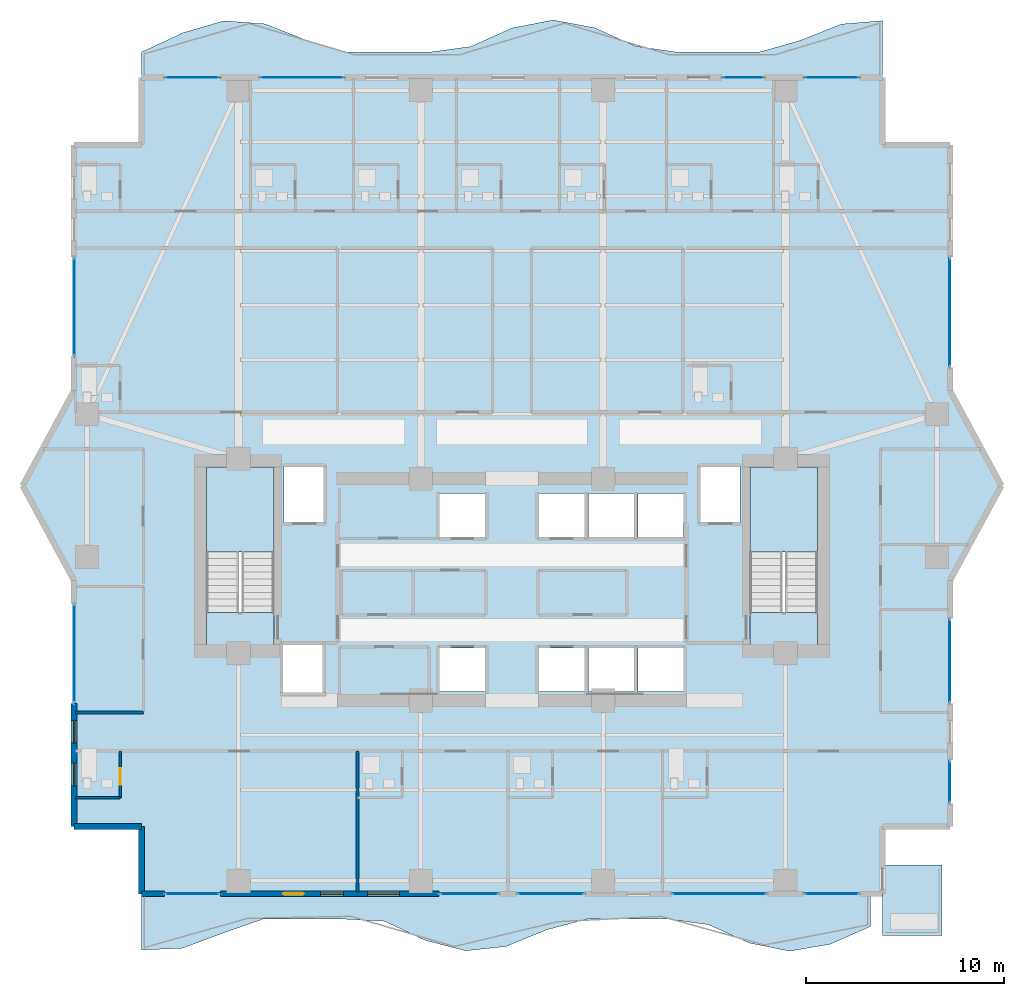
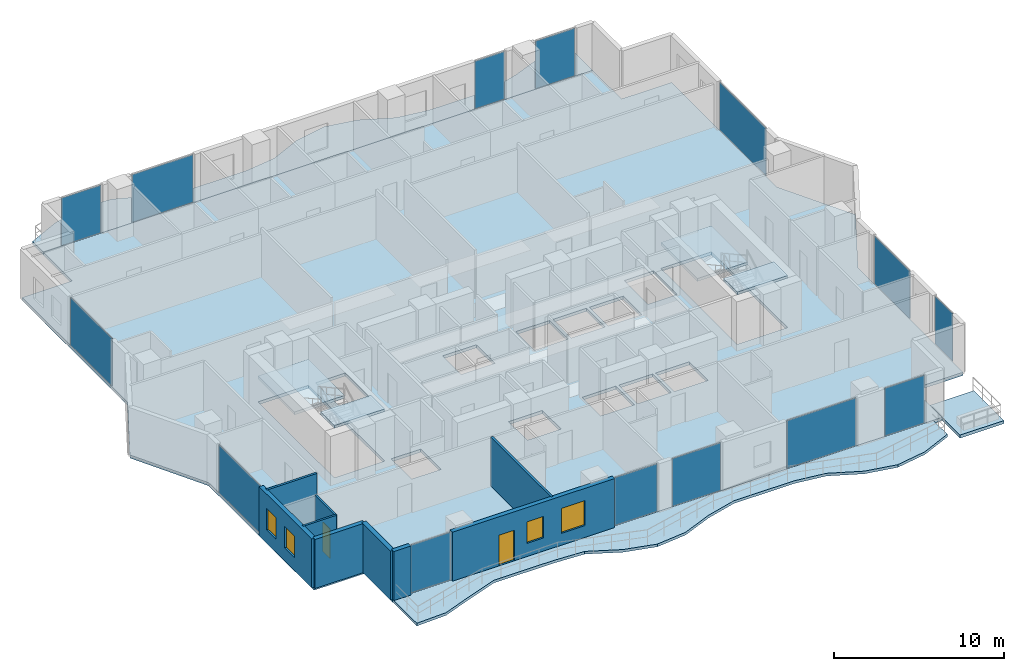
# One storey, part 23 of 32: 14 plates, 9 walls, 8 slabs, 4 windows, 2 doors, 6 openings, 16 elements without a shape of their own.
"""IFC4 building model written with IfcOpenShell, lengths in metres."""

from ifc_helpers import new_model, si_unit, direction, frame, frame_2d, origin, origin_2d, place, context, subcontext, project, spatial, polyline, rectangle, outline, extrude, material, layer, layer_set, type_object, element, fill, aggregate, save


model = new_model("IFC4")

# Units and contexts
model_context = context("Model", 3, precision=1e-05, world=origin(), true_north=direction((0.0, 1.0)))
body_context = subcontext(model_context, "Body", "Model", "MODEL_VIEW")
ifc_project = project(units=[si_unit("LENGTHUNIT", "METRE"), si_unit("AREAUNIT", "SQUARE_METRE"), si_unit("VOLUMEUNIT", "CUBIC_METRE"), si_unit("PLANEANGLEUNIT", "RADIAN"), si_unit("MASSUNIT", "GRAM", prefix="KILO")], contexts=[model_context])

# Site, building, storey
site_placement = place(None, origin())
site = spatial("IfcSite", under=ifc_project, at=site_placement, CompositionType="ELEMENT")
building_placement = place(site_placement, origin())
building = spatial("IfcBuilding", under=site, at=building_placement, Name="Zuhayl Quay Hotel", CompositionType="ELEMENT")
storey_placement = place(building_placement, frame((0.0, 0.0, 203.64990234375)))
storey = spatial("IfcBuildingStorey", under=building, at=storey_placement, Name="L51", CompositionType="ELEMENT", Elevation=203.64990234375)

# Curtain wall, plate
ifc_material_1 = material(Name="Anodised Aluminium 6063-T6", Category="aluminium")
ifc_layer_1 = layer(ifc_material_1, 0.175048828125, Name="Anodised Aluminium 6063-T6", Category="aluminium")
ifc_layer_set_1 = layer_set([ifc_layer_1], Name="Anodised Aluminium 6063-T6")
curtain_wall_type = type_object("IfcCurtainWallType", Name="CW_SYS_Z3", PredefinedType="USERDEFINED", material=ifc_layer_set_1)
curtain_wall_1_placement = place(storey_placement, origin())
curtain_wall_1 = element("IfcCurtainWall", 1, at=curtain_wall_1_placement, inside=storey, type_object=curtain_wall_type, Name="L51 Curtain Wall ENV_L51_E02_CW1", ObjectType="UNITISED CURTAIN WALL", PredefinedType="USERDEFINED")
ifc_material_2 = material(Name="Dark Ceramic-Fritted Solar Glass", Category="glass")
ifc_layer_2 = layer(ifc_material_2, 0.0400390625, Name="Dark Ceramic-Fritted Solar Glass", Category="glass")
ifc_layer_set_2 = layer_set([ifc_layer_2], Name="Dark Ceramic-Fritted Solar Glass")
plate_type = type_object("IfcPlateType", Name="PN_OP_VENT_Z3", PredefinedType="CURTAIN_PANEL", material=ifc_layer_set_2)
plate_1_placement = place(storey_placement, frame((-22.10009765625, 4.52490234375, 0.05517578125), z_axis=(0.0, 0.0, 1.0), x_axis=(0.0, 1.0, 0.0)))
plate_1 = element("IfcPlate", 2, at=plate_1_placement, type_object=plate_type, Name="CW-Z3 panel 1.1", PredefinedType="CURTAIN_PANEL", context=body_context, shape_type="SweptSolid", body=[
    extrude(rectangle(XDim=4.919921875, YDim=0.0400390625, at=origin_2d()), origin(), (0.0, 0.0, 1.0), 3.419921875),
])
aggregate(curtain_wall_1, [plate_1])

curtain_wall_2_placement = place(storey_placement, origin())
curtain_wall_2 = element("IfcCurtainWall", 3, at=curtain_wall_2_placement, inside=storey, type_object=curtain_wall_type, Name="L51 Curtain Wall ENV_L51_E05_CW1", ObjectType="UNITISED CURTAIN WALL", PredefinedType="USERDEFINED")
plate_2_placement = place(storey_placement, frame((-22.10009765625, 22.030029296875, 0.05517578125), z_axis=(0.0, 0.0, 1.0), x_axis=(0.0, 1.0, 0.0)))
plate_2 = element("IfcPlate", 4, at=plate_2_placement, type_object=plate_type, Name="CW-Z3 panel 1.1", PredefinedType="CURTAIN_PANEL", context=body_context, shape_type="SweptSolid", body=[
    extrude(rectangle(XDim=4.909912109375, YDim=0.0400390625, at=origin_2d()), origin(), (0.0, 0.0, 1.0), 3.419921875),
])
aggregate(curtain_wall_2, [plate_2])

curtain_wall_3_placement = place(storey_placement, origin())
curtain_wall_3 = element("IfcCurtainWall", 5, at=curtain_wall_3_placement, inside=storey, type_object=curtain_wall_type, Name="L51 Curtain Wall ENV_L51_N_CW1", ObjectType="UNITISED CURTAIN WALL", PredefinedType="USERDEFINED")
plate_3_placement = place(storey_placement, frame((-16.135009765625, 33.60009765625, 0.05517578125), z_axis=(0.0, 0.0, 1.0), x_axis=(1.0, 0.0, 0.0)))
plate_3 = element("IfcPlate", 6, at=plate_3_placement, type_object=plate_type, Name="CW-Z3 panel 1.1", PredefinedType="CURTAIN_PANEL", context=body_context, shape_type="SweptSolid", body=[
    extrude(rectangle(XDim=2.699951171875, YDim=0.0400390625, at=origin_2d()), origin(), (0.0, 0.0, 1.0), 3.419921875),
])
aggregate(curtain_wall_3, [plate_3])

curtain_wall_4_placement = place(storey_placement, origin())
curtain_wall_4 = element("IfcCurtainWall", 7, at=curtain_wall_4_placement, inside=storey, type_object=curtain_wall_type, Name="L51 Curtain Wall ENV_L51_N_CW2", ObjectType="UNITISED CURTAIN WALL", PredefinedType="USERDEFINED")
plate_4_placement = place(storey_placement, frame((-10.60009765625, 33.60009765625, 0.05517578125), z_axis=(0.0, 0.0, 1.0), x_axis=(1.0, 0.0, 0.0)))
plate_4 = element("IfcPlate", 8, at=plate_4_placement, type_object=plate_type, Name="CW-Z3 panel 1.1", PredefinedType="CURTAIN_PANEL", context=body_context, shape_type="SweptSolid", body=[
    extrude(rectangle(XDim=4.169921875, YDim=0.0400390625, at=origin_2d()), origin(), (0.0, 0.0, 1.0), 3.419921875),
])
aggregate(curtain_wall_4, [plate_4])

curtain_wall_5_placement = place(storey_placement, origin())
curtain_wall_5 = element("IfcCurtainWall", 9, at=curtain_wall_5_placement, inside=storey, type_object=curtain_wall_type, Name="L51 Curtain Wall ENV_L51_N_CW3", ObjectType="UNITISED CURTAIN WALL", PredefinedType="USERDEFINED")
plate_5_placement = place(storey_placement, frame((11.672607421875, 33.60009765625, 0.05517578125), z_axis=(0.0, 0.0, 1.0), x_axis=(1.0, 0.0, 0.0)))
plate_5 = element("IfcPlate", 10, at=plate_5_placement, type_object=plate_type, Name="CW-Z3 panel 1.1", PredefinedType="CURTAIN_PANEL", context=body_context, shape_type="SweptSolid", body=[
    extrude(rectangle(XDim=2.02490234375, YDim=0.0400390625, at=origin_2d()), origin(), (0.0, 0.0, 1.0), 3.419921875),
])
aggregate(curtain_wall_5, [plate_5])

curtain_wall_6_placement = place(storey_placement, origin())
curtain_wall_6 = element("IfcCurtainWall", 11, at=curtain_wall_6_placement, inside=storey, type_object=curtain_wall_type, Name="L51 Curtain Wall ENV_L51_N_CW4", ObjectType="UNITISED CURTAIN WALL", PredefinedType="USERDEFINED")
plate_6_placement = place(storey_placement, frame((16.135009765625, 33.60009765625, 0.05517578125), z_axis=(0.0, 0.0, 1.0), x_axis=(1.0, 0.0, 0.0)))
plate_6 = element("IfcPlate", 12, at=plate_6_placement, type_object=plate_type, Name="CW-Z3 panel 1.1", PredefinedType="CURTAIN_PANEL", context=body_context, shape_type="SweptSolid", body=[
    extrude(rectangle(XDim=2.699951171875, YDim=0.0400390625, at=origin_2d()), origin(), (0.0, 0.0, 1.0), 3.419921875),
])
aggregate(curtain_wall_6, [plate_6])

curtain_wall_7_placement = place(storey_placement, origin())
curtain_wall_7 = element("IfcCurtainWall", 13, at=curtain_wall_7_placement, inside=storey, type_object=curtain_wall_type, Name="L51 Curtain Wall ENV_L51_E11_CW1", ObjectType="UNITISED CURTAIN WALL", PredefinedType="USERDEFINED")
plate_7_placement = place(storey_placement, frame((22.10009765625, 21.75, 0.05517578125), z_axis=(0.0, 0.0, 1.0), x_axis=(0.0, -1.0, 0.0)))
plate_7 = element("IfcPlate", 14, at=plate_7_placement, type_object=plate_type, Name="CW-Z3 panel 1.1", PredefinedType="CURTAIN_PANEL", context=body_context, shape_type="SweptSolid", body=[
    extrude(rectangle(XDim=5.469970703125, YDim=0.0400390625, at=origin_2d()), origin(), (0.0, 0.0, 1.0), 3.419921875),
])
aggregate(curtain_wall_7, [plate_7])

curtain_wall_8_placement = place(storey_placement, origin())
curtain_wall_8 = element("IfcCurtainWall", 15, at=curtain_wall_8_placement, inside=storey, type_object=curtain_wall_type, Name="L51 Curtain Wall ENV_L51_E14_CW1", ObjectType="UNITISED CURTAIN WALL", PredefinedType="USERDEFINED")
plate_8_placement = place(storey_placement, frame((22.10009765625, 4.14990234375, 0.05517578125), z_axis=(0.0, 0.0, 1.0), x_axis=(0.0, -1.0, 0.0)))
plate_8 = element("IfcPlate", 16, at=plate_8_placement, type_object=plate_type, Name="CW-Z3 panel 1.1", PredefinedType="CURTAIN_PANEL", context=body_context, shape_type="SweptSolid", body=[
    extrude(rectangle(XDim=4.169921875, YDim=0.0400390625, at=origin_2d()), origin(), (0.0, 0.0, 1.0), 3.419921875),
])
aggregate(curtain_wall_8, [plate_8])

curtain_wall_9_placement = place(storey_placement, origin())
curtain_wall_9 = element("IfcCurtainWall", 17, at=curtain_wall_9_placement, inside=storey, type_object=curtain_wall_type, Name="L51 Curtain Wall ENV_L51_E14_CW2", ObjectType="UNITISED CURTAIN WALL", PredefinedType="USERDEFINED")
plate_9_placement = place(storey_placement, frame((22.10009765625, -1.949951171875, 0.05517578125), z_axis=(0.0, 0.0, 1.0), x_axis=(0.0, -1.0, 0.0)))
plate_9 = element("IfcPlate", 18, at=plate_9_placement, type_object=plate_type, Name="CW-Z3 panel 1.1", PredefinedType="CURTAIN_PANEL", context=body_context, shape_type="SweptSolid", body=[
    extrude(rectangle(XDim=2.070068359375, YDim=0.0400390625, at=origin_2d()), origin(), (0.0, 0.0, 1.0), 3.419921875),
])
aggregate(curtain_wall_9, [plate_9])

curtain_wall_10_placement = place(storey_placement, origin())
curtain_wall_10 = element("IfcCurtainWall", 19, at=curtain_wall_10_placement, inside=storey, type_object=curtain_wall_type, Name="L51 Curtain Wall ENV_L51_S_CW1", ObjectType="UNITISED CURTAIN WALL", PredefinedType="USERDEFINED")
plate_10_placement = place(storey_placement, frame((16.135009765625, -7.60009765625, 0.05517578125), z_axis=(0.0, 0.0, 1.0), x_axis=(-1.0, 0.0, 0.0)))
plate_10 = element("IfcPlate", 20, at=plate_10_placement, type_object=plate_type, Name="CW-Z3 panel 1.1", PredefinedType="CURTAIN_PANEL", context=body_context, shape_type="SweptSolid", body=[
    extrude(rectangle(XDim=2.699951171875, YDim=0.0400390625, at=origin_2d()), origin(), (0.0, 0.0, 1.0), 3.419921875),
])
aggregate(curtain_wall_10, [plate_10])

curtain_wall_11_placement = place(storey_placement, origin())
curtain_wall_11 = element("IfcCurtainWall", 21, at=curtain_wall_11_placement, inside=storey, type_object=curtain_wall_type, Name="L51 Curtain Wall ENV_L51_S_CW2", ObjectType="UNITISED CURTAIN WALL", PredefinedType="USERDEFINED")
plate_11_placement = place(storey_placement, frame((10.465087890625, -7.60009765625, 0.05517578125), z_axis=(0.0, 0.0, 1.0), x_axis=(-1.0, 0.0, 0.0)))
plate_11 = element("IfcPlate", 22, at=plate_11_placement, type_object=plate_type, Name="CW-Z3 panel 1.1", PredefinedType="CURTAIN_PANEL", context=body_context, shape_type="SweptSolid", body=[
    extrude(rectangle(XDim=4.699951171875, YDim=0.0400390625, at=origin_2d()), origin(), (0.0, 0.0, 1.0), 3.419921875),
])
aggregate(curtain_wall_11, [plate_11])

curtain_wall_12_placement = place(storey_placement, origin())
curtain_wall_12 = element("IfcCurtainWall", 23, at=curtain_wall_12_placement, inside=storey, type_object=curtain_wall_type, Name="L51 Curtain Wall ENV_L51_S_CW3", ObjectType="UNITISED CURTAIN WALL", PredefinedType="USERDEFINED")
plate_12_placement = place(storey_placement, frame((1.965087890625, -7.60009765625, 0.05517578125), z_axis=(0.0, 0.0, 1.0), x_axis=(-1.0, 0.0, 0.0)))
plate_12 = element("IfcPlate", 24, at=plate_12_placement, type_object=plate_type, Name="CW-Z3 panel 1.1", PredefinedType="CURTAIN_PANEL", context=body_context, shape_type="SweptSolid", body=[
    extrude(rectangle(XDim=3.300048828125, YDim=0.0400390625, at=origin_2d()), origin(), (0.0, 0.0, 1.0), 3.419921875),
])
aggregate(curtain_wall_12, [plate_12])

curtain_wall_13_placement = place(storey_placement, origin())
curtain_wall_13 = element("IfcCurtainWall", 25, at=curtain_wall_13_placement, inside=storey, type_object=curtain_wall_type, Name="L51 Curtain Wall ENV_L51_S_CW4", ObjectType="UNITISED CURTAIN WALL", PredefinedType="USERDEFINED")
plate_13_placement = place(storey_placement, frame((-2.1650390625, -7.60009765625, 0.05517578125), z_axis=(0.0, 0.0, 1.0), x_axis=(-1.0, 0.0, 0.0)))
plate_13 = element("IfcPlate", 26, at=plate_13_placement, type_object=plate_type, Name="CW-Z3 panel 1.1", PredefinedType="CURTAIN_PANEL", context=body_context, shape_type="SweptSolid", body=[
    extrude(rectangle(XDim=2.89990234375, YDim=0.0400390625, at=origin_2d()), origin(), (0.0, 0.0, 1.0), 3.419921875),
])
aggregate(curtain_wall_13, [plate_13])

curtain_wall_14_placement = place(storey_placement, origin())
curtain_wall_14 = element("IfcCurtainWall", 27, at=curtain_wall_14_placement, inside=storey, type_object=curtain_wall_type, Name="L51 Curtain Wall ENV_L51_S_CW5", ObjectType="UNITISED CURTAIN WALL", PredefinedType="USERDEFINED")
plate_14_placement = place(storey_placement, frame((-16.135009765625, -7.60009765625, 0.05517578125), z_axis=(0.0, 0.0, 1.0), x_axis=(-1.0, 0.0, 0.0)))
plate_14 = element("IfcPlate", 28, at=plate_14_placement, type_object=plate_type, Name="CW-Z3 panel 1.1", PredefinedType="CURTAIN_PANEL", context=body_context, shape_type="SweptSolid", body=[
    extrude(rectangle(XDim=2.699951171875, YDim=0.0400390625, at=origin_2d()), origin(), (0.0, 0.0, 1.0), 3.419921875),
])
aggregate(curtain_wall_14, [plate_14])

# Slabs
ifc_material_3 = material(Name="Concrete C45/55", Category="concrete")
ifc_layer_3 = layer(ifc_material_3, 0.195068359375, Name="Concrete C45/55", Category="concrete")
ifc_layer_set_3 = layer_set([ifc_layer_3], Name="Concrete C45/55")
slab_type_1 = type_object("IfcSlabType", Name="SL_BALCONY_195", PredefinedType="FLOOR", material=ifc_layer_set_3)
slab_1_placement = place(storey_placement, frame((0.0, 0.0, -0.19482421875)))
element("IfcSlab", 29, at=slab_1_placement, inside=storey, type_object=slab_type_1, Name="L51 Exterior Rippling Balcony Slab North", PredefinedType="FLOOR", context=body_context, shape_type="SweptSolid", body=[
    extrude(outline(polyline([(-18.699951171875, 33.60009765625), (18.699951171875, 33.60009765625), (18.699951171875, 36.465576171875), (16.622314453125, 36.29541015625), (14.54443359375, 35.467041015625), (12.466796875, 34.8798828125), (10.388916015625, 34.8798828125), (8.31103515625, 34.8798828125), (6.2333984375, 35.1845703125), (4.155517578125, 36.114501953125), (2.077880859375, 36.5), (0.0, 36.098388671875), (-2.077880859375, 35.162841796875), (-4.155517578125, 34.8798828125), (-6.2333984375, 34.8798828125), (-8.31103515625, 34.8798828125), (-10.388916015625, 35.488525390625), (-12.466796875, 36.30712890625), (-14.54443359375, 36.460205078125), (-16.622314453125, 35.851318359375), (-18.699951171875, 34.8798828125), (-18.699951171875, 33.60009765625)])), origin(), (0.0, 0.0, 1.0), 0.19482421875),
])
slab_2_placement = place(storey_placement, frame((0.0, 0.0, -0.19482421875)))
element("IfcSlab", 30, at=slab_2_placement, inside=storey, type_object=slab_type_1, Name="L51 Exterior Rippling Balcony Slab South", PredefinedType="FLOOR", context=body_context, shape_type="SweptSolid", body=[
    extrude(outline(polyline([(-18.699951171875, -10.438720703125), (-16.655517578125, -10.353759765625), (-14.611083984375, -9.594482421875), (-12.566650390625, -8.8798828125), (-10.522216796875, -8.8798828125), (-8.477783203125, -8.8798828125), (-6.433349609375, -8.989990234375), (-4.388916015625, -9.948974609375), (-2.344482421875, -10.48095703125), (-0.300048828125, -10.26123046875), (1.744384765625, -9.424072265625), (3.788818359375, -8.8798828125), (5.833251953125, -8.8798828125), (7.877685546875, -8.8798828125), (9.922119140625, -9.162841796875), (11.966796875, -10.08642578125), (14.010986328125, -10.499267578125), (16.0556640625, -10.149169921875), (18.10009765625, -9.25), (18.10009765625, -7.60009765625), (-18.699951171875, -7.60009765625), (-18.699951171875, -10.438720703125)])), origin(), (0.0, 0.0, 1.0), 0.19482421875),
])
ifc_layer_4 = layer(ifc_material_3, 0.219970703125, Name="Concrete C45/55", Category="concrete")
ifc_layer_set_4 = layer_set([ifc_layer_4], Name="Concrete C45/55")
slab_type_2 = type_object("IfcSlabType", Name="SL_FLOOR_220", PredefinedType="FLOOR", material=ifc_layer_set_4)
slab_3_placement = place(storey_placement, frame((0.0, 0.0, -0.219970703125)))
element("IfcSlab", 31, at=slab_3_placement, inside=storey, type_object=slab_type_2, Name="L51 Structural Floor Slab", PredefinedType="FLOOR", context=body_context, shape_type="SweptSolid", body=[
    extrude(outline(polyline([(-18.699951171875, -7.60009765625), (18.699951171875, -7.60009765625), (18.699951171875, -4.199951171875), (22.10009765625, -4.199951171875), (22.10009765625, 8.199951171875), (24.699951171875, 13.0), (22.10009765625, 17.800048828125), (22.10009765625, 30.199951171875), (18.699951171875, 30.199951171875), (18.699951171875, 33.60009765625), (-18.699951171875, 33.60009765625), (-18.699951171875, 30.199951171875), (-22.10009765625, 30.199951171875), (-22.10009765625, 17.800048828125), (-24.699951171875, 13.0), (-22.10009765625, 8.199951171875), (-22.10009765625, -4.199951171875), (-18.699951171875, -4.199951171875), (-18.699951171875, -7.60009765625)]), holes=[polyline([(-12.0, 4.949951171875), (-12.0, 13.949951171875), (-15.429931640625, 13.949951171875), (-15.429931640625, 4.949951171875), (-12.0, 4.949951171875)]), polyline([(15.429931640625, 4.949951171875), (15.429931640625, 13.949951171875), (12.0, 13.949951171875), (12.0, 4.949951171875), (15.429931640625, 4.949951171875)]), polyline([(-11.5, 11.14990234375), (-9.5, 11.14990234375), (-9.5, 13.949951171875), (-11.5, 13.949951171875), (-11.5, 11.14990234375)]), polyline([(9.5, 11.14990234375), (11.5, 11.14990234375), (11.5, 13.949951171875), (9.5, 13.949951171875), (9.5, 11.14990234375)]), polyline([(-3.64990234375, 2.60009765625), (-1.35009765625, 2.60009765625), (-1.35009765625, 4.800048828125), (-3.64990234375, 4.800048828125), (-3.64990234375, 2.60009765625)]), polyline([(1.35009765625, 2.60009765625), (3.64990234375, 2.60009765625), (3.64990234375, 4.800048828125), (1.35009765625, 4.800048828125), (1.35009765625, 2.60009765625)]), polyline([(-3.64990234375, 10.39990234375), (-1.35009765625, 10.39990234375), (-1.35009765625, 12.60009765625), (-3.64990234375, 12.60009765625), (-3.64990234375, 10.39990234375)]), polyline([(1.35009765625, 10.39990234375), (3.64990234375, 10.39990234375), (3.64990234375, 12.60009765625), (1.35009765625, 12.60009765625), (1.35009765625, 10.39990234375)]), polyline([(3.85009765625, 2.60009765625), (6.14990234375, 2.60009765625), (6.14990234375, 4.800048828125), (3.85009765625, 4.800048828125), (3.85009765625, 2.60009765625)]), polyline([(6.35009765625, 2.60009765625), (8.64990234375, 2.60009765625), (8.64990234375, 4.800048828125), (6.35009765625, 4.800048828125), (6.35009765625, 2.60009765625)]), polyline([(3.85009765625, 10.39990234375), (6.14990234375, 10.39990234375), (6.14990234375, 12.60009765625), (3.85009765625, 12.60009765625), (3.85009765625, 10.39990234375)]), polyline([(6.35009765625, 10.39990234375), (8.64990234375, 10.39990234375), (8.64990234375, 12.60009765625), (6.35009765625, 12.60009765625), (6.35009765625, 10.39990234375)]), polyline([(-11.550048828125, 2.550048828125), (-9.550048828125, 2.550048828125), (-9.550048828125, 4.949951171875), (-11.550048828125, 4.949951171875), (-11.550048828125, 2.550048828125)])]), origin(), (0.0, 0.0, 1.0), 0.219970703125),
])

# Stair, slabs
stair_type = type_object("IfcStairType", Name="ST_DOGLEG_TOWER", PredefinedType="HALF_TURN_STAIR", material=ifc_material_3)
stair_1_placement = place(storey_placement, origin())
stair_1 = element("IfcStair", 32, at=stair_1_placement, inside=storey, type_object=stair_type, Name="L51 Smokeproof Exit Stair ST1", PredefinedType="HALF_TURN_STAIR")
ifc_layer_5 = layer(ifc_material_3, 0.199951171875, Name="Concrete C45/55", Category="concrete")
ifc_layer_set_5 = layer_set([ifc_layer_5], Name="Concrete C45/55")
slab_type_3 = type_object("IfcSlabType", Name="SL_STAIR_LANDING_200", PredefinedType="LANDING", material=ifc_layer_set_5)
slab_4_placement = place(storey_placement, frame((0.0, 0.0, 1.675048828125)))
slab_4 = element("IfcSlab", 33, at=slab_4_placement, type_object=slab_type_3, Name="ST1 landing 1", PredefinedType="LANDING", context=body_context, shape_type="SweptSolid", body=[
    extrude(outline(polyline([(-12.0, 9.64990234375), (-12.0, 13.949951171875), (-15.429931640625, 13.949951171875), (-15.429931640625, 9.64990234375), (-12.0, 9.64990234375)])), origin(), (0.0, 0.0, 1.0), 0.199951171875),
])
slab_5_placement = place(storey_placement, frame((0.0, 0.0, 3.550048828125)))
slab_5 = element("IfcSlab", 34, at=slab_5_placement, type_object=slab_type_3, Name="ST1 landing 2", PredefinedType="LANDING", context=body_context, shape_type="SweptSolid", body=[
    extrude(outline(polyline([(-12.0, 4.949951171875), (-12.0, 6.590087890625), (-15.429931640625, 6.590087890625), (-15.429931640625, 4.949951171875), (-12.0, 4.949951171875)])), origin(), (0.0, 0.0, 1.0), 0.199951171875),
])
aggregate(stair_1, [slab_4, slab_5])

stair_2_placement = place(storey_placement, origin())
stair_2 = element("IfcStair", 35, at=stair_2_placement, inside=storey, type_object=stair_type, Name="L51 Smokeproof Exit Stair ST2", PredefinedType="HALF_TURN_STAIR")
slab_6_placement = place(storey_placement, frame((0.0, 0.0, 1.675048828125)))
slab_6 = element("IfcSlab", 36, at=slab_6_placement, type_object=slab_type_3, Name="ST2 landing 1", PredefinedType="LANDING", context=body_context, shape_type="SweptSolid", body=[
    extrude(outline(polyline([(15.429931640625, 9.64990234375), (15.429931640625, 13.949951171875), (12.0, 13.949951171875), (12.0, 9.64990234375), (15.429931640625, 9.64990234375)])), origin(), (0.0, 0.0, 1.0), 0.199951171875),
])
slab_7_placement = place(storey_placement, frame((0.0, 0.0, 3.550048828125)))
slab_7 = element("IfcSlab", 37, at=slab_7_placement, type_object=slab_type_3, Name="ST2 landing 2", PredefinedType="LANDING", context=body_context, shape_type="SweptSolid", body=[
    extrude(outline(polyline([(15.429931640625, 4.949951171875), (15.429931640625, 6.590087890625), (12.0, 6.590087890625), (12.0, 4.949951171875), (15.429931640625, 4.949951171875)])), origin(), (0.0, 0.0, 1.0), 0.199951171875),
])
aggregate(stair_2, [slab_6, slab_7])

# Slab
ifc_layer_6 = layer(ifc_material_3, 0.219970703125, Name="Concrete C45/55", Category="concrete")
ifc_layer_set_6 = layer_set([ifc_layer_6], Name="Concrete C45/55")
slab_type_4 = type_object("IfcSlabType", Name="SL_TERRACE_235", PredefinedType="FLOOR", material=ifc_layer_set_6)
slab_8_placement = place(storey_placement, frame((0.0, 0.0, -0.219970703125)))
element("IfcSlab", 38, at=slab_8_placement, inside=storey, type_object=slab_type_4, Name="L51 Exterior Sky-Terrace Slab L51_SPIRAL_SE", PredefinedType="FLOOR", context=body_context, shape_type="SweptSolid", body=[
    extrude(outline(polyline([(18.699951171875, -9.699951171875), (21.699951171875, -9.699951171875), (21.699951171875, -6.14990234375), (18.699951171875, -6.14990234375), (18.699951171875, -9.699951171875)])), origin(), (0.0, 0.0, 1.0), 0.219970703125),
])

# Wall
ifc_material_4 = material(Name="Precast concrete C45/55", Category="concrete")
ifc_layer_7 = layer(ifc_material_4, 0.300048828125, Name="Precast concrete C45/55", Category="concrete")
ifc_layer_set_7 = layer_set([ifc_layer_7], Name="Precast concrete C45/55")
wall_type_1 = type_object("IfcWallType", Name="WL_EXT_300", PredefinedType="STANDARD", material=ifc_layer_set_7)
wall_1_placement = place(storey_placement, frame((-18.699951171875, -4.199951171875, 0.0), z_axis=(0.0, 0.0, 1.0), x_axis=(-1.0, 0.0, 0.0)))
element("IfcWall", 39, at=wall_1_placement, inside=storey, type_object=wall_type_1, Name="L51 Exterior Precast Wall ENV_L51_EW01", PredefinedType="STANDARD", context=body_context, shape_type="SweptSolid", body=[
    extrude(rectangle(XDim=3.400146484375, YDim=0.300048828125, at=frame_2d((1.7001953125, 0.0))), origin(), (0.0, 0.0, 1.0), 3.530029296875),
])

# Wall, openings, windows
wall_2_placement = place(storey_placement, frame((-22.10009765625, -4.199951171875, 0.0), z_axis=(0.0, 0.0, 1.0), x_axis=(0.0, 1.0, 0.0)))
wall_2 = element("IfcWall", 40, at=wall_2_placement, inside=storey, type_object=wall_type_1, Name="L51 Exterior Precast Wall ENV_L51_E02_EW1", PredefinedType="STANDARD", context=body_context, shape_type="SweptSolid", body=[
    extrude(rectangle(XDim=6.199951171875, YDim=0.300048828125, at=frame_2d((3.10009765625, 0.0))), origin(), (0.0, 0.0, 1.0), 3.530029296875),
])
opening_1_placement = place(wall_2_placement, frame((2.044921875, 0.0, 0.949951171875)))
opening_1 = element("IfcOpeningElement", 41, at=opening_1_placement, cuts=wall_2, Name="Opening W01N", PredefinedType="OPENING", context=body_context, shape_type="SweptSolid", body=[
    extrude(rectangle(XDim=1.14990234375, YDim=1.550048828125, at=frame_2d((0.574951171875, 0.77490234375))), frame((0.0, 0.159912109375, 0.0), z_axis=(0.0, -1.0, 0.0), x_axis=(1.0, 0.0, 0.0)), (0.0, 0.0, 1.0), 0.320068359375),
])
opening_2_placement = place(wall_2_placement, frame((4.199951171875, 0.0, 0.949951171875)))
opening_2 = element("IfcOpeningElement", 42, at=opening_2_placement, cuts=wall_2, Name="Opening W01N", PredefinedType="OPENING", context=body_context, shape_type="SweptSolid", body=[
    extrude(rectangle(XDim=1.14990234375, YDim=1.550048828125, at=frame_2d((0.574951171875, 0.77490234375))), frame((0.0, 0.159912109375, 0.0), z_axis=(0.0, -1.0, 0.0), x_axis=(1.0, 0.0, 0.0)), (0.0, 0.0, 1.0), 0.320068359375),
])
window_type_1 = type_object("IfcWindowType", Name="WN_NOTCH_1350", PartitioningType="SINGLE_PANEL", PredefinedType="WINDOW", material=ifc_material_2)
window_1_placement = place(opening_1_placement, origin())
window_1 = element("IfcWindow", 43, at=window_1_placement, inside=storey, type_object=window_type_1, Name="L51 Operable Facade Window 1-1", OverallHeight=1.550048828125, OverallWidth=1.14990234375, PartitioningType="SINGLE_PANEL", PredefinedType="WINDOW", context=body_context, shape_type="SweptSolid", body=[
    extrude(rectangle(XDim=1.14990234375, YDim=1.550048828125, at=frame_2d((0.574951171875, 0.77490234375))), frame((0.0, 0.030029296875, 0.0), z_axis=(0.0, -1.0, 0.0), x_axis=(1.0, 0.0, 0.0)), (0.0, 0.0, 1.0), 0.06005859375),
])
fill(opening_1, window_1)
window_2_placement = place(opening_2_placement, origin())
window_2 = element("IfcWindow", 44, at=window_2_placement, inside=storey, type_object=window_type_1, Name="L51 Operable Facade Window 1-2", OverallHeight=1.550048828125, OverallWidth=1.14990234375, PartitioningType="SINGLE_PANEL", PredefinedType="WINDOW", context=body_context, shape_type="SweptSolid", body=[
    extrude(rectangle(XDim=1.14990234375, YDim=1.550048828125, at=frame_2d((0.574951171875, 0.77490234375))), frame((0.0, 0.030029296875, 0.0), z_axis=(0.0, -1.0, 0.0), x_axis=(1.0, 0.0, 0.0)), (0.0, 0.0, 1.0), 0.06005859375),
])
fill(opening_2, window_2)

# Wall, openings, door, windows
wall_3_placement = place(storey_placement, frame((-3.679931640625, -7.60009765625, 0.0), z_axis=(0.0, 0.0, 1.0), x_axis=(-1.0, 0.0, 0.0)))
wall_3 = element("IfcWall", 45, at=wall_3_placement, inside=storey, type_object=wall_type_1, Name="L51 Exterior Precast Wall ENV_L51_S_EW5", PredefinedType="STANDARD", context=body_context, shape_type="SweptSolid", body=[
    extrude(rectangle(XDim=11.0400390625, YDim=0.300048828125, at=frame_2d((5.52001953125, 0.0))), origin(), (0.0, 0.0, 1.0), 3.530029296875),
])
opening_3_placement = place(wall_3_placement, frame((6.820068359375, 0.0, 0.0)))
opening_3 = element("IfcOpeningElement", 46, at=opening_3_placement, cuts=wall_3, Name="Opening DG1", PredefinedType="OPENING", context=body_context, shape_type="SweptSolid", body=[
    extrude(rectangle(XDim=1.050048828125, YDim=2.199951171875, at=frame_2d((0.52490234375, 1.10009765625))), frame((0.0, 0.159912109375, 0.0), z_axis=(0.0, -1.0, 0.0), x_axis=(1.0, 0.0, 0.0)), (0.0, 0.0, 1.0), 0.320068359375),
])
opening_4_placement = place(wall_3_placement, frame((2.010009765625, 0.0, 0.85009765625)))
opening_4 = element("IfcOpeningElement", 47, at=opening_4_placement, cuts=wall_3, Name="Opening W01", PredefinedType="OPENING", context=body_context, shape_type="SweptSolid", body=[
    extrude(rectangle(XDim=1.60009765625, YDim=1.800048828125, at=frame_2d((0.800048828125, 0.89990234375))), frame((0.0, 0.159912109375, 0.0), z_axis=(0.0, -1.0, 0.0), x_axis=(1.0, 0.0, 0.0)), (0.0, 0.0, 1.0), 0.320068359375),
])
opening_5_placement = place(wall_3_placement, frame((4.830078125, 0.0, 0.949951171875)))
opening_5 = element("IfcOpeningElement", 48, at=opening_5_placement, cuts=wall_3, Name="Opening W01N", PredefinedType="OPENING", context=body_context, shape_type="SweptSolid", body=[
    extrude(rectangle(XDim=1.14990234375, YDim=1.550048828125, at=frame_2d((0.574951171875, 0.77490234375))), frame((0.0, 0.159912109375, 0.0), z_axis=(0.0, -1.0, 0.0), x_axis=(1.0, 0.0, 0.0)), (0.0, 0.0, 1.0), 0.320068359375),
])
ifc_material_5 = material(Name="Anodised Aluminium and Dark Solar Glass", Category="aluminium")
door_type_1 = type_object("IfcDoorType", Name="DR_EXT_TERR_1050", OperationType="NOTDEFINED", PredefinedType="DOOR", material=ifc_material_5)
door_1_placement = place(opening_3_placement, origin())
door_1 = element("IfcDoor", 49, at=door_1_placement, inside=storey, type_object=door_type_1, Name="L51 South Rippling Balcony Door", OperationType="SINGLE_SWING_RIGHT", OverallHeight=2.199951171875, OverallWidth=1.050048828125, PredefinedType="DOOR", context=body_context, shape_type="SweptSolid", body=[
    extrude(rectangle(XDim=1.050048828125, YDim=2.199951171875, at=frame_2d((0.52490234375, 1.10009765625))), frame((0.0, 0.02490234375, 0.0), z_axis=(0.0, -1.0, 0.0), x_axis=(1.0, 0.0, 0.0)), (0.0, 0.0, 1.0), 0.050048828125),
])
fill(opening_3, door_1)
window_3_placement = place(opening_5_placement, origin())
window_3 = element("IfcWindow", 50, at=window_3_placement, inside=storey, type_object=window_type_1, Name="L51 Operable Facade Window 5-2", OverallHeight=1.550048828125, OverallWidth=1.14990234375, PartitioningType="SINGLE_PANEL", PredefinedType="WINDOW", context=body_context, shape_type="SweptSolid", body=[
    extrude(rectangle(XDim=1.14990234375, YDim=1.550048828125, at=frame_2d((0.574951171875, 0.77490234375))), frame((0.0, 0.030029296875, 0.0), z_axis=(0.0, -1.0, 0.0), x_axis=(1.0, 0.0, 0.0)), (0.0, 0.0, 1.0), 0.06005859375),
])
fill(opening_5, window_3)
window_type_2 = type_object("IfcWindowType", Name="WN_OPERABLE_1600", PartitioningType="DOUBLE_PANEL_VERTICAL", PredefinedType="WINDOW", material=ifc_material_2)
window_4_placement = place(opening_4_placement, origin())
window_4 = element("IfcWindow", 51, at=window_4_placement, inside=storey, type_object=window_type_2, Name="L51 Operable Facade Window 5-1", OverallHeight=1.800048828125, OverallWidth=1.60009765625, PartitioningType="SINGLE_PANEL", PredefinedType="WINDOW", context=body_context, shape_type="SweptSolid", body=[
    extrude(rectangle(XDim=1.60009765625, YDim=1.800048828125, at=frame_2d((0.800048828125, 0.89990234375))), frame((0.0, 0.030029296875, 0.0), z_axis=(0.0, -1.0, 0.0), x_axis=(1.0, 0.0, 0.0)), (0.0, 0.0, 1.0), 0.06005859375),
])
fill(opening_4, window_4)

# Walls
wall_4_placement = place(storey_placement, frame((-17.550048828125, -7.60009765625, 0.0), z_axis=(0.0, 0.0, 1.0), x_axis=(-1.0, 0.0, 0.0)))
element("IfcWall", 52, at=wall_4_placement, inside=storey, type_object=wall_type_1, Name="L51 Exterior Precast Wall ENV_L51_S_EW6", PredefinedType="STANDARD", context=body_context, shape_type="SweptSolid", body=[
    extrude(rectangle(XDim=1.14990234375, YDim=0.300048828125, at=frame_2d((0.574951171875, 0.0))), origin(), (0.0, 0.0, 1.0), 3.530029296875),
])
wall_5_placement = place(storey_placement, frame((-18.699951171875, -7.60009765625, 0.0), z_axis=(0.0, 0.0, 1.0), x_axis=(0.0, 1.0, 0.0)))
element("IfcWall", 53, at=wall_5_placement, inside=storey, type_object=wall_type_1, Name="L51 Exterior Precast Wall ENV_L51_EW18", PredefinedType="STANDARD", context=body_context, shape_type="SweptSolid", body=[
    extrude(rectangle(XDim=3.400146484375, YDim=0.300048828125, at=frame_2d((1.7001953125, 0.0))), origin(), (0.0, 0.0, 1.0), 3.530029296875),
])
ifc_material_6 = material(Name="Acoustic Gypsum Partition STC-58")
ifc_layer_8 = layer(ifc_material_6, 0.14990234375, Name="Acoustic Gypsum Partition STC-58")
ifc_layer_set_8 = layer_set([ifc_layer_8], Name="Acoustic Gypsum Partition STC-58")
wall_type_2 = type_object("IfcWallType", Name="WL_PART_150", PredefinedType="PARTITIONING", material=ifc_layer_set_8)
wall_6_placement = place(storey_placement, frame((-7.800048828125, -7.52001953125, 0.0), z_axis=(0.0, 0.0, 1.0), x_axis=(0.0, 1.0, 0.0)))
element("IfcWall", 54, at=wall_6_placement, inside=storey, type_object=wall_type_2, Name="L51 Partition IW_L51_SU01_E", PredefinedType="PARTITIONING", context=body_context, shape_type="SweptSolid", body=[
    extrude(rectangle(XDim=7.1201171875, YDim=0.14990234375, at=frame_2d((3.56005859375, 0.0))), origin(), (0.0, 0.0, 1.0), 3.530029296875),
])
wall_7_placement = place(storey_placement, frame((-22.0400390625, 1.550048828125, 0.0), z_axis=(0.0, 0.0, 1.0), x_axis=(1.0, 0.0, 0.0)))
element("IfcWall", 55, at=wall_7_placement, inside=storey, type_object=wall_type_2, Name="L51 Partition IW_L51_WPROW_1_S", PredefinedType="PARTITIONING", context=body_context, shape_type="SweptSolid", body=[
    extrude(rectangle(XDim=3.43994140625, YDim=0.14990234375, at=frame_2d((1.719970703125, 0.0))), origin(), (0.0, 0.0, 1.0), 3.530029296875),
])

# Wall, opening, door
ifc_material_7 = material(Name="Moisture-Resistant Sanitarychase Gypsum")
ifc_layer_9 = layer(ifc_material_7, 0.135009765625, Name="Moisture-Resistant Sanitarychase Gypsum")
ifc_layer_set_9 = layer_set([ifc_layer_9], Name="Moisture-Resistant Sanitarychase Gypsum")
wall_type_3 = type_object("IfcWallType", Name="WL_PART_PLUMB_150", PredefinedType="PLUMBINGWALL", material=ifc_layer_set_9)
wall_8_placement = place(storey_placement, frame((-19.780029296875, -2.760009765625, 0.0), z_axis=(0.0, 0.0, 1.0), x_axis=(0.0, 1.0, 0.0)))
wall_8 = element("IfcWall", 56, at=wall_8_placement, inside=storey, type_object=wall_type_3, Name="L51 Partition IW_L51_SU01_BE", PredefinedType="PLUMBINGWALL", context=body_context, shape_type="SweptSolid", body=[
    extrude(rectangle(XDim=2.360107421875, YDim=0.135009765625, at=frame_2d((1.18017578125, 0.0))), origin(), (0.0, 0.0, 1.0), 3.530029296875),
])
opening_6_placement = place(wall_8_placement, frame((0.64990234375, 0.0, 0.0)))
opening_6 = element("IfcOpeningElement", 57, at=opening_6_placement, cuts=wall_8, Name="Opening D04", PredefinedType="OPENING", context=body_context, shape_type="SweptSolid", body=[
    extrude(rectangle(XDim=0.85009765625, YDim=2.10009765625, at=frame_2d((0.425048828125, 1.050048828125))), frame((0.0, 0.077392578125, 0.0), z_axis=(0.0, -1.0, 0.0), x_axis=(1.0, 0.0, 0.0)), (0.0, 0.0, 1.0), 0.155029296875),
])
ifc_material_8 = material(Name="Moisture-Resistant Walnut Veneer")
door_type_2 = type_object("IfcDoorType", Name="DR_BATH_850", OperationType="NOTDEFINED", PredefinedType="DOOR", material=ifc_material_8)
door_2_placement = place(opening_6_placement, origin())
door_2 = element("IfcDoor", 58, at=door_2_placement, inside=storey, type_object=door_type_2, Name="L51 City-View Junior Suite L51-01 En-Suite Door", OperationType="SINGLE_SWING_LEFT", OverallHeight=2.10009765625, OverallWidth=0.85009765625, PredefinedType="DOOR", context=body_context, shape_type="SweptSolid", body=[
    extrude(rectangle(XDim=0.85009765625, YDim=2.10009765625, at=frame_2d((0.425048828125, 1.050048828125))), frame((0.0, 0.02490234375, 0.0), z_axis=(0.0, -1.0, 0.0), x_axis=(1.0, 0.0, 0.0)), (0.0, 0.0, 1.0), 0.050048828125),
])
fill(opening_6, door_2)

# Wall
wall_9_placement = place(storey_placement, frame((-22.0400390625, -2.760009765625, 0.0), z_axis=(0.0, 0.0, 1.0), x_axis=(1.0, 0.0, 0.0)))
element("IfcWall", 59, at=wall_9_placement, inside=storey, type_object=wall_type_3, Name="L51 Partition IW_L51_SU01_BS", PredefinedType="PLUMBINGWALL", context=body_context, shape_type="SweptSolid", body=[
    extrude(rectangle(XDim=2.260009765625, YDim=0.135009765625, at=frame_2d((1.1298828125, 0.0))), origin(), (0.0, 0.0, 1.0), 3.530029296875),
])

save(model, "model.ifc")
